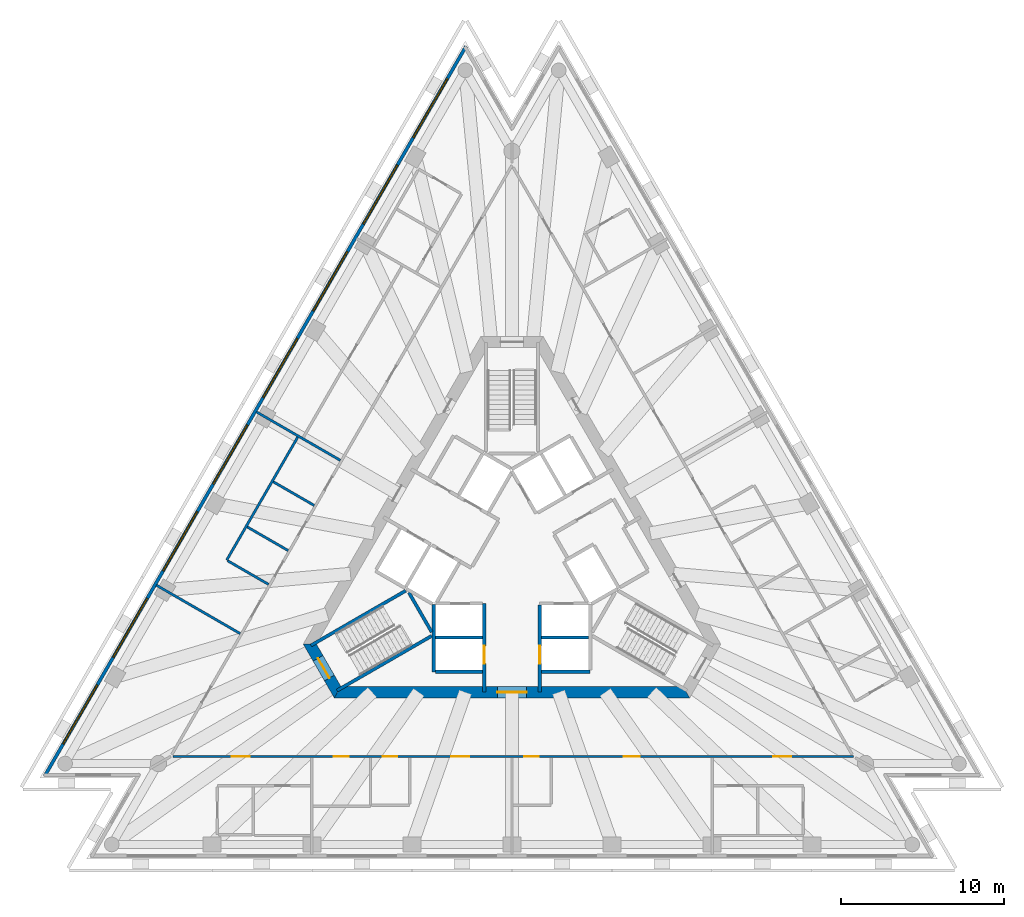
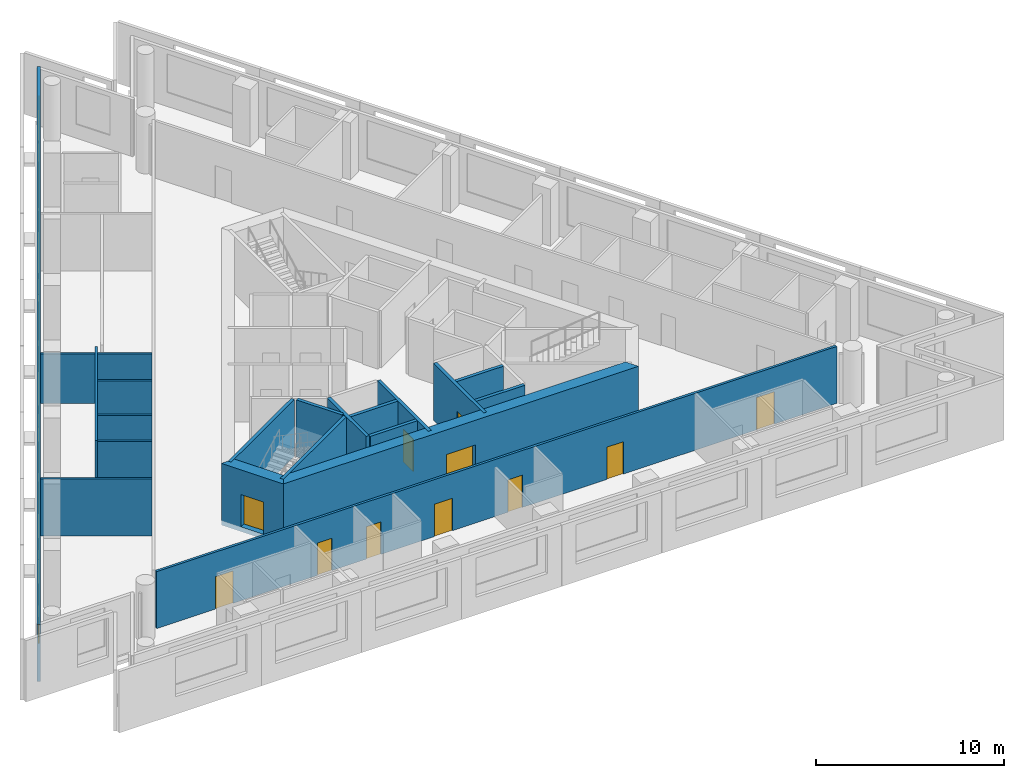
# One storey, part 3 of 9: 20 walls, 11 doors, 8 windows, 19 openings.
"""IFC4 building model written with IfcOpenShell, lengths in metres."""

from ifc_helpers import new_model, si_unit, direction, frame, frame_2d, origin, place, context, subcontext, project, spatial, polyline, rectangle, outline, extrude, material, layer, layer_set, layer_usage, type_object, element, fill, save


model = new_model("IFC4")

# Units and contexts
model_context = context("Model", 3, precision=1e-05, world=origin(), true_north=direction((0.0, 1.0)))
body_context = subcontext(model_context, "Body", "Model", "MODEL_VIEW")
ifc_project = project(units=[si_unit("LENGTHUNIT", "METRE"), si_unit("AREAUNIT", "SQUARE_METRE"), si_unit("VOLUMEUNIT", "CUBIC_METRE"), si_unit("PLANEANGLEUNIT", "RADIAN"), si_unit("MASSUNIT", "GRAM", prefix="KILO")], contexts=[model_context])

# Site, building, storey
site_placement = place(None, origin())
site = spatial("IfcSite", under=ifc_project, at=site_placement, CompositionType="ELEMENT")
building_placement = place(site_placement, origin())
building = spatial("IfcBuilding", under=site, at=building_placement, Name="Triada Interchange Tower", CompositionType="ELEMENT")
storey_placement = place(building_placement, frame((0.0, 0.0, 211.300048828125)))
storey = spatial("IfcBuildingStorey", under=building, at=storey_placement, Name="L49", CompositionType="ELEMENT", Elevation=211.300048828125)

# Walls
ifc_material_1 = material(Name="Concrete C30/37", Category="concrete")
ifc_layer_1 = layer(ifc_material_1, 0.199951171875)
ifc_layer_set_1 = layer_set([ifc_layer_1], Name="CORE WALL 200 EI 120")
wall_type_1 = type_object("IfcWallType", Name="CORE WALL 200 EI 120", PredefinedType="SOLIDWALL", material=ifc_layer_set_1)
for number, where, z_axis, x_axis, name in (
    (1, (-4.699951171875, -4.800048828125, 0.0), (0.0, 0.0, 1.0), (1.0, 0.0, 0.0), "Wall L47 55"),
    (2, (1.800048828125, -4.800048828125, 0.0), (0.0, 0.0, 1.0), (1.0, 0.0, 0.0), "Wall L47 56"),
):
    element("IfcWall", number, at=place(storey_placement, frame(where, z_axis=z_axis, x_axis=x_axis)), inside=storey, type_object=wall_type_1, Name=name, PredefinedType="SOLIDWALL", context=body_context, shape_type="SweptSolid", body=[
        extrude(rectangle(XDim=2.89990234375, YDim=0.199951171875, at=frame_2d((1.449951171875, 0.0))), origin(), (0.0, 0.0, 1.0), 3.699951171875),
    ])
wall_1_placement = place(storey_placement, frame((-4.800048828125, -6.89990234375, 0.0), z_axis=(0.0, 0.0, 1.0), x_axis=(0.0, 1.0, 0.0)))
element("IfcWall", 3, at=wall_1_placement, inside=storey, type_object=wall_type_1, Name="Wall L47 57", PredefinedType="SOLIDWALL", context=body_context, shape_type="SweptSolid", body=[
    extrude(rectangle(XDim=4.130859375, YDim=0.199951171875, at=frame_2d((2.0654296875, 0.0))), origin(), (0.0, 0.0, 1.0), 3.699951171875),
])
wall_2_placement = place(storey_placement, frame((-4.699951171875, -6.89990234375, 0.0), z_axis=(0.0, 0.0, 1.0), x_axis=(1.0, 0.0, 0.0)))
element("IfcWall", 4, at=wall_2_placement, inside=storey, type_object=wall_type_1, Name="Wall L47 58", PredefinedType="SOLIDWALL", context=body_context, shape_type="SweptSolid", body=[
    extrude(rectangle(XDim=2.89990234375, YDim=0.199951171875, at=frame_2d((1.449951171875, 0.0))), origin(), (0.0, 0.0, 1.0), 3.699951171875),
])
wall_3_placement = place(storey_placement, frame((1.800048828125, -6.89990234375, 0.0), z_axis=(0.0, 0.0, 1.0), x_axis=(1.0, 0.0, 0.0)))
element("IfcWall", 5, at=wall_3_placement, inside=storey, type_object=wall_type_1, Name="Wall L47 59", PredefinedType="SOLIDWALL", context=body_context, shape_type="SweptSolid", body=[
    extrude(rectangle(XDim=3.0, YDim=0.199951171875, at=frame_2d((1.5, 0.0))), origin(), (0.0, 0.0, 1.0), 3.699951171875),
])

# Wall, opening, door
wall_4_placement = place(storey_placement, frame((-1.699951171875, -8.1298828125, 0.0), z_axis=(0.0, 0.0, 1.0), x_axis=(0.0, 1.0, 0.0)))
wall_4 = element("IfcWall", 6, at=wall_4_placement, inside=storey, type_object=wall_type_1, Name="Wall L47 60", PredefinedType="SOLIDWALL", context=body_context, shape_type="SweptSolid", body=[
    extrude(rectangle(XDim=5.427001953125, YDim=0.199951171875, at=frame_2d((2.71337890625, 0.0))), origin(), (0.0, 0.0, 1.0), 3.699951171875),
])
opening_1_placement = place(wall_4_placement, frame((1.72998046875, 0.0, 0.0)))
opening_1 = element("IfcOpeningElement", 7, at=opening_1_placement, cuts=wall_4, Name="Opening LD-HR4", PredefinedType="OPENING", context=body_context, shape_type="SweptSolid", body=[
    extrude(rectangle(XDim=1.10009765625, YDim=2.10009765625, at=frame_2d((0.550048828125, 1.050048828125))), frame((0.0, 0.10986328125, 0.0), z_axis=(0.0, -1.0, 0.0), x_axis=(1.0, 0.0, 0.0)), (0.0, 0.0, 1.0), 0.219970703125),
])
ifc_material_2 = material(Name="Steel S235 door leaf", Category="steel")
door_type_1 = type_object("IfcDoorType", Name="LIFT LANDING DOOR 1100 EI 120", OperationType="SLIDING_TO_LEFT", PredefinedType="DOOR", material=ifc_material_2)
door_1_placement = place(opening_1_placement, origin())
door_1 = element("IfcDoor", 8, at=door_1_placement, inside=storey, type_object=door_type_1, Name="HR4 landing door L49", OperationType="SLIDING_TO_LEFT", OverallHeight=2.10009765625, OverallWidth=1.10009765625, PredefinedType="DOOR", context=body_context, shape_type="SweptSolid", body=[
    extrude(rectangle(XDim=1.10009765625, YDim=2.10009765625, at=frame_2d((0.550048828125, 1.050048828125))), frame((0.0, 0.02490234375, 0.0), z_axis=(0.0, -1.0, 0.0), x_axis=(1.0, 0.0, 0.0)), (0.0, 0.0, 1.0), 0.050048828125),
])
fill(opening_1, door_1)

wall_5_placement = place(storey_placement, frame((1.699951171875, -8.1298828125, 0.0), z_axis=(0.0, 0.0, 1.0), x_axis=(0.0, 1.0, 0.0)))
wall_5 = element("IfcWall", 9, at=wall_5_placement, inside=storey, type_object=wall_type_1, Name="Wall L47 67", PredefinedType="SOLIDWALL", context=body_context, shape_type="SweptSolid", body=[
    extrude(rectangle(XDim=5.326904296875, YDim=0.199951171875, at=frame_2d((2.66357421875, 0.0))), origin(), (0.0, 0.0, 1.0), 3.699951171875),
])
opening_2_placement = place(wall_5_placement, frame((1.72998046875, 0.0, 0.0)))
opening_2 = element("IfcOpeningElement", 10, at=opening_2_placement, cuts=wall_5, Name="Opening LD-HR2", PredefinedType="OPENING", context=body_context, shape_type="SweptSolid", body=[
    extrude(rectangle(XDim=1.10009765625, YDim=2.10009765625, at=frame_2d((0.550048828125, 1.050048828125))), frame((0.0, 0.10986328125, 0.0), z_axis=(0.0, -1.0, 0.0), x_axis=(1.0, 0.0, 0.0)), (0.0, 0.0, 1.0), 0.219970703125),
])
door_2_placement = place(opening_2_placement, origin())
door_2 = element("IfcDoor", 11, at=door_2_placement, inside=storey, type_object=door_type_1, Name="HR2 landing door L49", OperationType="SLIDING_TO_LEFT", OverallHeight=2.10009765625, OverallWidth=1.10009765625, PredefinedType="DOOR", context=body_context, shape_type="SweptSolid", body=[
    extrude(rectangle(XDim=1.10009765625, YDim=2.10009765625, at=frame_2d((0.550048828125, 1.050048828125))), frame((0.0, 0.02490234375, 0.0), z_axis=(0.0, -1.0, 0.0), x_axis=(1.0, 0.0, 0.0)), (0.0, 0.0, 1.0), 0.050048828125),
])
fill(opening_2, door_2)

# Walls
ifc_layer_2 = layer(ifc_material_1, 0.199951171875)
ifc_layer_set_2 = layer_set([ifc_layer_2], Name="CORE WALL 200 REI 240")
wall_type_2 = type_object("IfcWallType", Name="CORE WALL 200 REI 240", PredefinedType="SOLIDWALL", material=ifc_layer_set_2)
wall_6_placement = place(storey_placement, frame((-12.343994140625, -5.279052734375, 0.0), z_axis=(0.0, 0.0, 1.0), x_axis=(0.866046323291, 0.499963764601, 0.0)))
element("IfcWall", 12, at=wall_6_placement, inside=storey, type_object=wall_type_2, Name="Wall L47 96", PredefinedType="SOLIDWALL", context=body_context, shape_type="SweptSolid", body=[
    extrude(rectangle(XDim=6.71435546875, YDim=0.199951171875, at=frame_2d((3.357177734375, 0.0))), origin(), (0.0, 0.0, 1.0), 3.699951171875),
])
wall_7_placement = place(storey_placement, frame((-6.3291015625, -2.0380859375, 0.0), z_axis=(0.0, 0.0, 1.0), x_axis=(0.500200581029, -0.865909567298, 0.0)))
element("IfcWall", 13, at=wall_7_placement, inside=storey, type_object=wall_type_2, Name="Wall L47 97", PredefinedType="SOLIDWALL", context=body_context, shape_type="SweptSolid", body=[
    extrude(rectangle(XDim=2.799072265625, YDim=0.199951171875, at=frame_2d((1.3994140625, 0.0))), origin(), (0.0, 0.0, 1.0), 3.699951171875),
])
wall_8_placement = place(storey_placement, frame((-10.743896484375, -8.051025390625, 0.0), z_axis=(0.0, 0.0, 1.0), x_axis=(0.865983344943, 0.500072840975, 0.0)))
element("IfcWall", 14, at=wall_8_placement, inside=storey, type_object=wall_type_2, Name="Wall L47 98", PredefinedType="SOLIDWALL", context=body_context, shape_type="SweptSolid", body=[
    extrude(rectangle(XDim=6.71484375, YDim=0.199951171875, at=frame_2d((3.357421875, 0.0))), origin(), (0.0, 0.0, 1.0), 3.699951171875),
])

# Wall, opening, door
ifc_material_3 = material(Name="Concrete C50/60", Category="concrete")
ifc_layer_3 = layer(ifc_material_3, 0.699951171875)
ifc_layer_set_3 = layer_set([ifc_layer_3], Name="Core wall C 700")
wall_type_3 = type_object("IfcWallType", Name="Core wall C 700", PredefinedType="SHEAR", material=ifc_layer_set_3)
wall_9_placement = place(storey_placement, frame((-12.4130859375, -5.199951171875, -0.300048828125), z_axis=(0.0, 0.0, 1.0), x_axis=(0.49999337185, -0.866029230515, 0.0)))
wall_9 = element("IfcWall", 15, at=wall_9_placement, inside=storey, type_object=wall_type_3, Name="Core wall WC03 L49", PredefinedType="SHEAR", context=body_context, shape_type="SweptSolid", body=[
    extrude(outline(polyline([(-0.201904296875, -0.35009765625), (1.703125, -0.35009765625), (3.60791015625, -0.35009765625), (3.2041015625, 0.35009765625), (1.703125, 0.35009765625), (0.201904296875, 0.35009765625), (-0.201904296875, -0.35009765625)])), origin(), (0.0, 0.0, 1.0), 4.0),
])
opening_3_placement = place(wall_9_placement, frame((1.0029296875, 0.0, 0.300048828125)))
opening_3 = element("IfcOpeningElement", 16, at=opening_3_placement, cuts=wall_9, Name="Opening D47-45", PredefinedType="OPENING", context=body_context, shape_type="SweptSolid", body=[
    extrude(rectangle(XDim=1.39990234375, YDim=2.10009765625, at=frame_2d((0.699951171875, 1.050048828125))), frame((0.0, 0.360107421875, 0.0), z_axis=(0.0, -1.0, 0.0), x_axis=(1.0, 0.0, 0.0)), (0.0, 0.0, 1.0), 0.72021484375),
])
door_type_2 = type_object("IfcDoorType", Name="STAIR DOOR 1400 EI2 90-C5S200", OperationType="DOUBLE_DOOR_SINGLE_SWING", PredefinedType="DOOR", material=ifc_material_2)
door_3_placement = place(opening_3_placement, origin())
door_3 = element("IfcDoor", 17, at=door_3_placement, inside=storey, type_object=door_type_2, Name="Door D47-45 L49", OperationType="DOUBLE_DOOR_SINGLE_SWING", OverallHeight=2.10009765625, OverallWidth=1.39990234375, PredefinedType="DOOR", context=body_context, shape_type="SweptSolid", body=[
    extrude(rectangle(XDim=1.39990234375, YDim=2.10009765625, at=frame_2d((0.699951171875, 1.050048828125))), frame((0.0, 0.02490234375, 0.0), z_axis=(0.0, -1.0, 0.0), x_axis=(1.0, 0.0, 0.0)), (0.0, 0.0, 1.0), 0.050048828125),
])
fill(opening_3, door_3)

wall_10_placement = place(storey_placement, frame((-10.7099609375, -8.14990234375, -0.300048828125), z_axis=(0.0, 0.0, 1.0), x_axis=(1.0, 0.0, 0.0)))
wall_10 = element("IfcWall", 18, at=wall_10_placement, inside=storey, type_object=wall_type_3, Name="Core wall WC04 L49", PredefinedType="SHEAR", context=body_context, shape_type="SweptSolid", body=[
    extrude(outline(polyline([(-0.201904296875, -0.35009765625), (1.781982421875, -0.35009765625), (3.76611328125, -0.35009765625), (5.75, -0.35009765625), (7.734130859375, -0.35009765625), (9.718017578125, -0.35009765625), (11.7021484375, -0.35009765625), (13.68603515625, -0.35009765625), (15.670166015625, -0.35009765625), (17.654052734375, -0.35009765625), (19.63818359375, -0.35009765625), (21.6220703125, -0.35009765625), (21.218017578125, 0.35009765625), (19.307373046875, 0.35009765625), (17.39697265625, 0.35009765625), (15.486328125, 0.35009765625), (13.57568359375, 0.35009765625), (11.665283203125, 0.35009765625), (9.754638671875, 0.35009765625), (7.84423828125, 0.35009765625), (5.93359375, 0.35009765625), (4.02294921875, 0.35009765625), (2.112548828125, 0.35009765625), (0.201904296875, 0.35009765625), (-0.201904296875, -0.35009765625)])), origin(), (0.0, 0.0, 1.0), 4.0),
])
opening_4_placement = place(wall_10_placement, frame((9.81005859375, 0.0, 0.300048828125)))
opening_4 = element("IfcOpeningElement", 19, at=opening_4_placement, cuts=wall_10, Name="Opening D47-43", PredefinedType="OPENING", context=body_context, shape_type="SweptSolid", body=[
    extrude(rectangle(XDim=1.800048828125, YDim=2.10009765625, at=frame_2d((0.89990234375, 1.050048828125))), frame((0.0, 0.360107421875, 0.0), z_axis=(0.0, -1.0, 0.0), x_axis=(1.0, 0.0, 0.0)), (0.0, 0.0, 1.0), 0.72021484375),
])
door_type_3 = type_object("IfcDoorType", Name="LOBBY DOOR 1800 EI2 90-C5S200", OperationType="DOUBLE_DOOR_SINGLE_SWING", PredefinedType="DOOR", material=ifc_material_2)
door_4_placement = place(opening_4_placement, origin())
door_4 = element("IfcDoor", 20, at=door_4_placement, inside=storey, type_object=door_type_3, Name="Door D47-43 L49", OperationType="DOUBLE_DOOR_SINGLE_SWING", OverallHeight=2.10009765625, OverallWidth=1.800048828125, PredefinedType="DOOR", context=body_context, shape_type="SweptSolid", body=[
    extrude(rectangle(XDim=1.800048828125, YDim=2.10009765625, at=frame_2d((0.89990234375, 1.050048828125))), frame((0.0, 0.02490234375, 0.0), z_axis=(0.0, -1.0, 0.0), x_axis=(1.0, 0.0, 0.0)), (0.0, 0.0, 1.0), 0.050048828125),
])
fill(opening_4, door_4)

# Wall, openings, windows
ifc_material_4 = material(Name="Cement board")
ifc_layer_4 = layer(ifc_material_4, 0.02001953125, Name="Cement board cladding")
ifc_material_5 = material(Name="Sheathing board")
ifc_layer_5 = layer(ifc_material_5, 0.014892578125, Name="Sheathing board")
ifc_material_6 = material(Name="Mineral wool")
ifc_layer_6 = layer(ifc_material_6, 0.14990234375, Name="Mineral wool between steel studs")
ifc_material_7 = material(Name="Gypsum board")
ifc_layer_7 = layer(ifc_material_7, 0.014892578125, Name="Plasterboard lining")
ifc_layer_set_4 = layer_set([ifc_layer_4, ifc_layer_5, ifc_layer_6, ifc_layer_7], Name="External wall 200")
ifc_layer_usage = layer_usage(ifc_layer_set_4, "AXIS2", "POSITIVE", -0.10009765625)
wall_type_4 = type_object("IfcWallType", Name="External wall 200", PredefinedType="ELEMENTEDWALL", material=ifc_layer_set_4)
wall_11_placement = place(storey_placement, frame((-2.823974609375, 31.512939453125, 0.0), z_axis=(0.0, 0.0, 1.0), x_axis=(-0.500012324412, -0.866018288165, 0.0)))
wall_11 = element("IfcWall", 21, at=wall_11_placement, inside=storey, type_object=wall_type_4, material=ifc_layer_usage, Name="External wall L49 NW", PredefinedType="ELEMENTEDWALL", context=body_context, shape_type="SweptSolid", body=[
    extrude(rectangle(XDim=51.739013671875, YDim=0.199951171875, at=frame_2d((25.86962890625, 0.0))), origin(), (0.0, 0.0, 1.0), 3.699951171875),
])
opening_5_placement = place(wall_11_placement, frame((2.27490234375, 0.0, 0.89990234375)))
opening_5 = element("IfcOpeningElement", 22, at=opening_5_placement, cuts=wall_11, Name="Opening WC01", PredefinedType="OPENING", context=body_context, shape_type="SweptSolid", body=[
    extrude(rectangle(XDim=4.199951171875, YDim=2.5, at=frame_2d((2.10009765625, 1.25))), frame((0.0, 0.10986328125, 0.0), z_axis=(0.0, -1.0, 0.0), x_axis=(1.0, 0.0, 0.0)), (0.0, 0.0, 1.0), 0.219970703125),
])
opening_6_placement = place(wall_11_placement, frame((8.4189453125, 0.0, 0.89990234375)))
opening_6 = element("IfcOpeningElement", 23, at=opening_6_placement, cuts=wall_11, Name="Opening WC02", PredefinedType="OPENING", context=body_context, shape_type="SweptSolid", body=[
    extrude(rectangle(XDim=4.199951171875, YDim=2.5, at=frame_2d((2.10009765625, 1.25))), frame((0.0, 0.10986328125, 0.0), z_axis=(0.0, -1.0, 0.0), x_axis=(1.0, 0.0, 0.0)), (0.0, 0.0, 1.0), 0.219970703125),
])
opening_7_placement = place(wall_11_placement, frame((14.56298828125, 0.0, 0.89990234375)))
opening_7 = element("IfcOpeningElement", 24, at=opening_7_placement, cuts=wall_11, Name="Opening WC03", PredefinedType="OPENING", context=body_context, shape_type="SweptSolid", body=[
    extrude(rectangle(XDim=4.199951171875, YDim=2.5, at=frame_2d((2.10009765625, 1.25))), frame((0.0, 0.10986328125, 0.0), z_axis=(0.0, -1.0, 0.0), x_axis=(1.0, 0.0, 0.0)), (0.0, 0.0, 1.0), 0.219970703125),
])
opening_8_placement = place(wall_11_placement, frame((20.70703125, 0.0, 0.89990234375)))
opening_8 = element("IfcOpeningElement", 25, at=opening_8_placement, cuts=wall_11, Name="Opening WC04", PredefinedType="OPENING", context=body_context, shape_type="SweptSolid", body=[
    extrude(rectangle(XDim=4.199951171875, YDim=2.5, at=frame_2d((2.10009765625, 1.25))), frame((0.0, 0.10986328125, 0.0), z_axis=(0.0, -1.0, 0.0), x_axis=(1.0, 0.0, 0.0)), (0.0, 0.0, 1.0), 0.219970703125),
])
opening_9_placement = place(wall_11_placement, frame((26.85107421875, 0.0, 0.89990234375)))
opening_9 = element("IfcOpeningElement", 26, at=opening_9_placement, cuts=wall_11, Name="Opening WC05", PredefinedType="OPENING", context=body_context, shape_type="SweptSolid", body=[
    extrude(rectangle(XDim=4.199951171875, YDim=2.5, at=frame_2d((2.10009765625, 1.25))), frame((0.0, 0.10986328125, 0.0), z_axis=(0.0, -1.0, 0.0), x_axis=(1.0, 0.0, 0.0)), (0.0, 0.0, 1.0), 0.219970703125),
])
opening_10_placement = place(wall_11_placement, frame((32.9951171875, 0.0, 0.89990234375)))
opening_10 = element("IfcOpeningElement", 27, at=opening_10_placement, cuts=wall_11, Name="Opening WC06", PredefinedType="OPENING", context=body_context, shape_type="SweptSolid", body=[
    extrude(rectangle(XDim=4.199951171875, YDim=2.5, at=frame_2d((2.10009765625, 1.25))), frame((0.0, 0.10986328125, 0.0), z_axis=(0.0, -1.0, 0.0), x_axis=(1.0, 0.0, 0.0)), (0.0, 0.0, 1.0), 0.219970703125),
])
opening_11_placement = place(wall_11_placement, frame((39.139892578125, 0.0, 0.89990234375)))
opening_11 = element("IfcOpeningElement", 28, at=opening_11_placement, cuts=wall_11, Name="Opening WC07", PredefinedType="OPENING", context=body_context, shape_type="SweptSolid", body=[
    extrude(rectangle(XDim=4.199951171875, YDim=2.5, at=frame_2d((2.10009765625, 1.25))), frame((0.0, 0.10986328125, 0.0), z_axis=(0.0, -1.0, 0.0), x_axis=(1.0, 0.0, 0.0)), (0.0, 0.0, 1.0), 0.219970703125),
])
opening_12_placement = place(wall_11_placement, frame((45.283935546875, 0.0, 0.89990234375)))
opening_12 = element("IfcOpeningElement", 29, at=opening_12_placement, cuts=wall_11, Name="Opening WC08", PredefinedType="OPENING", context=body_context, shape_type="SweptSolid", body=[
    extrude(rectangle(XDim=4.199951171875, YDim=2.5, at=frame_2d((2.10009765625, 1.25))), frame((0.0, 0.10986328125, 0.0), z_axis=(0.0, -1.0, 0.0), x_axis=(1.0, 0.0, 0.0)), (0.0, 0.0, 1.0), 0.219970703125),
])
ifc_material_8 = material(Name="Double glazed aluminium window", Category="aluminium")
window_type = type_object("IfcWindowType", Name="Ribbon window C face", PartitioningType="SINGLE_PANEL", PredefinedType="WINDOW", material=ifc_material_8)
window_1_placement = place(opening_5_placement, origin())
window_1 = element("IfcWindow", 30, at=window_1_placement, inside=storey, type_object=window_type, Name="Window L49 NW 1", OverallHeight=2.5, OverallWidth=4.199951171875, PartitioningType="SINGLE_PANEL", PredefinedType="WINDOW", context=body_context, shape_type="SweptSolid", body=[
    extrude(rectangle(XDim=4.199951171875, YDim=2.5, at=frame_2d((2.10009765625, 1.25))), frame((0.0, 0.030029296875, 0.0), z_axis=(0.0, -1.0, 0.0), x_axis=(1.0, 0.0, 0.0)), (0.0, 0.0, 1.0), 0.06005859375),
])
fill(opening_5, window_1)
window_2_placement = place(opening_6_placement, origin())
window_2 = element("IfcWindow", 31, at=window_2_placement, inside=storey, type_object=window_type, Name="Window L49 NW 2", OverallHeight=2.5, OverallWidth=4.199951171875, PartitioningType="SINGLE_PANEL", PredefinedType="WINDOW", context=body_context, shape_type="SweptSolid", body=[
    extrude(rectangle(XDim=4.199951171875, YDim=2.5, at=frame_2d((2.10009765625, 1.25))), frame((0.0, 0.030029296875, 0.0), z_axis=(0.0, -1.0, 0.0), x_axis=(1.0, 0.0, 0.0)), (0.0, 0.0, 1.0), 0.06005859375),
])
fill(opening_6, window_2)
window_3_placement = place(opening_7_placement, origin())
window_3 = element("IfcWindow", 32, at=window_3_placement, inside=storey, type_object=window_type, Name="Window L49 NW 3", OverallHeight=2.5, OverallWidth=4.199951171875, PartitioningType="SINGLE_PANEL", PredefinedType="WINDOW", context=body_context, shape_type="SweptSolid", body=[
    extrude(rectangle(XDim=4.199951171875, YDim=2.5, at=frame_2d((2.10009765625, 1.25))), frame((0.0, 0.030029296875, 0.0), z_axis=(0.0, -1.0, 0.0), x_axis=(1.0, 0.0, 0.0)), (0.0, 0.0, 1.0), 0.06005859375),
])
fill(opening_7, window_3)
window_4_placement = place(opening_8_placement, origin())
window_4 = element("IfcWindow", 33, at=window_4_placement, inside=storey, type_object=window_type, Name="Window L49 NW 4", OverallHeight=2.5, OverallWidth=4.199951171875, PartitioningType="SINGLE_PANEL", PredefinedType="WINDOW", context=body_context, shape_type="SweptSolid", body=[
    extrude(rectangle(XDim=4.199951171875, YDim=2.5, at=frame_2d((2.10009765625, 1.25))), frame((0.0, 0.030029296875, 0.0), z_axis=(0.0, -1.0, 0.0), x_axis=(1.0, 0.0, 0.0)), (0.0, 0.0, 1.0), 0.06005859375),
])
fill(opening_8, window_4)
window_5_placement = place(opening_9_placement, origin())
window_5 = element("IfcWindow", 34, at=window_5_placement, inside=storey, type_object=window_type, Name="Window L49 NW 5", OverallHeight=2.5, OverallWidth=4.199951171875, PartitioningType="SINGLE_PANEL", PredefinedType="WINDOW", context=body_context, shape_type="SweptSolid", body=[
    extrude(rectangle(XDim=4.199951171875, YDim=2.5, at=frame_2d((2.10009765625, 1.25))), frame((0.0, 0.030029296875, 0.0), z_axis=(0.0, -1.0, 0.0), x_axis=(1.0, 0.0, 0.0)), (0.0, 0.0, 1.0), 0.06005859375),
])
fill(opening_9, window_5)
window_6_placement = place(opening_10_placement, origin())
window_6 = element("IfcWindow", 35, at=window_6_placement, inside=storey, type_object=window_type, Name="Window L49 NW 6", OverallHeight=2.5, OverallWidth=4.199951171875, PartitioningType="SINGLE_PANEL", PredefinedType="WINDOW", context=body_context, shape_type="SweptSolid", body=[
    extrude(rectangle(XDim=4.199951171875, YDim=2.5, at=frame_2d((2.10009765625, 1.25))), frame((0.0, 0.030029296875, 0.0), z_axis=(0.0, -1.0, 0.0), x_axis=(1.0, 0.0, 0.0)), (0.0, 0.0, 1.0), 0.06005859375),
])
fill(opening_10, window_6)
window_7_placement = place(opening_11_placement, origin())
window_7 = element("IfcWindow", 36, at=window_7_placement, inside=storey, type_object=window_type, Name="Window L49 NW 7", OverallHeight=2.5, OverallWidth=4.199951171875, PartitioningType="SINGLE_PANEL", PredefinedType="WINDOW", context=body_context, shape_type="SweptSolid", body=[
    extrude(rectangle(XDim=4.199951171875, YDim=2.5, at=frame_2d((2.10009765625, 1.25))), frame((0.0, 0.030029296875, 0.0), z_axis=(0.0, -1.0, 0.0), x_axis=(1.0, 0.0, 0.0)), (0.0, 0.0, 1.0), 0.06005859375),
])
fill(opening_11, window_7)
window_8_placement = place(opening_12_placement, origin())
window_8 = element("IfcWindow", 37, at=window_8_placement, inside=storey, type_object=window_type, Name="Window L49 NW 8", OverallHeight=2.5, OverallWidth=4.199951171875, PartitioningType="SINGLE_PANEL", PredefinedType="WINDOW", context=body_context, shape_type="SweptSolid", body=[
    extrude(rectangle(XDim=4.199951171875, YDim=2.5, at=frame_2d((2.10009765625, 1.25))), frame((0.0, 0.030029296875, 0.0), z_axis=(0.0, -1.0, 0.0), x_axis=(1.0, 0.0, 0.0)), (0.0, 0.0, 1.0), 0.06005859375),
])
fill(opening_12, window_8)

# Wall
ifc_material_9 = material(Name="Gypsum board partition")
ifc_layer_8 = layer(ifc_material_9, 0.14990234375)
ifc_layer_set_5 = layer_set([ifc_layer_8], Name="PARTITION 150 EI 180")
wall_type_5 = type_object("IfcWallType", Name="PARTITION 150 EI 180", PredefinedType="PARTITIONING", material=ifc_layer_set_5)
wall_12_placement = place(storey_placement, frame((-21.839111328125, -1.5810546875, 0.0), z_axis=(0.0, 0.0, 1.0), x_axis=(0.866034527326, -0.49998419723, 0.0)))
element("IfcWall", 38, at=wall_12_placement, inside=storey, type_object=wall_type_5, Name="Wall L47 3", PredefinedType="PARTITIONING", context=body_context, shape_type="SweptSolid", body=[
    extrude(rectangle(XDim=5.947998046875, YDim=0.14990234375, at=frame_2d((2.97412109375, 0.0))), origin(), (0.0, 0.0, 1.0), 3.699951171875),
])

# Wall, openings, doors
wall_13_placement = place(storey_placement, frame((-20.80810546875, -12.10009765625, 0.0), z_axis=(0.0, 0.0, 1.0), x_axis=(1.0, 0.0, 0.0)))
wall_13 = element("IfcWall", 39, at=wall_13_placement, inside=storey, type_object=wall_type_5, Name="Wall L47 5", PredefinedType="PARTITIONING", context=body_context, shape_type="SweptSolid", body=[
    extrude(rectangle(XDim=41.76611328125, YDim=0.14990234375, at=frame_2d((20.883056640625, 0.0))), origin(), (0.0, 0.0, 1.0), 3.699951171875),
])
opening_13_placement = place(wall_13_placement, frame((3.60009765625, 0.0, 0.0)))
opening_13 = element("IfcOpeningElement", 40, at=opening_13_placement, cuts=wall_13, Name="Opening D47-11", PredefinedType="OPENING", context=body_context, shape_type="SweptSolid", body=[
    extrude(rectangle(XDim=1.10009765625, YDim=2.10009765625, at=frame_2d((0.550048828125, 1.050048828125))), frame((0.0, 0.0849609375, 0.0), z_axis=(0.0, -1.0, 0.0), x_axis=(1.0, 0.0, 0.0)), (0.0, 0.0, 1.0), 0.169921875),
])
opening_14_placement = place(wall_13_placement, frame((17.070068359375, 0.0, 0.0)))
opening_14 = element("IfcOpeningElement", 41, at=opening_14_placement, cuts=wall_13, Name="Opening D47-14", PredefinedType="OPENING", context=body_context, shape_type="SweptSolid", body=[
    extrude(rectangle(XDim=1.10009765625, YDim=2.10009765625, at=frame_2d((0.550048828125, 1.050048828125))), frame((0.0, 0.0849609375, 0.0), z_axis=(0.0, -1.0, 0.0), x_axis=(1.0, 0.0, 0.0)), (0.0, 0.0, 1.0), 0.169921875),
])
opening_15_placement = place(wall_13_placement, frame((9.8701171875, 0.0, 0.0)))
opening_15 = element("IfcOpeningElement", 42, at=opening_15_placement, cuts=wall_13, Name="Opening D47-15", PredefinedType="OPENING", context=body_context, shape_type="SweptSolid", body=[
    extrude(rectangle(XDim=0.89990234375, YDim=2.10009765625, at=frame_2d((0.449951171875, 1.050048828125))), frame((0.0, 0.0849609375, 0.0), z_axis=(0.0, -1.0, 0.0), x_axis=(1.0, 0.0, 0.0)), (0.0, 0.0, 1.0), 0.169921875),
])
opening_16_placement = place(wall_13_placement, frame((12.8701171875, 0.0, 0.0)))
opening_16 = element("IfcOpeningElement", 43, at=opening_16_placement, cuts=wall_13, Name="Opening D47-16", PredefinedType="OPENING", context=body_context, shape_type="SweptSolid", body=[
    extrude(rectangle(XDim=0.89990234375, YDim=2.10009765625, at=frame_2d((0.449951171875, 1.050048828125))), frame((0.0, 0.0849609375, 0.0), z_axis=(0.0, -1.0, 0.0), x_axis=(1.0, 0.0, 0.0)), (0.0, 0.0, 1.0), 0.169921875),
])
opening_17_placement = place(wall_13_placement, frame((27.657958984375, 0.0, 0.0)))
opening_17 = element("IfcOpeningElement", 44, at=opening_17_placement, cuts=wall_13, Name="Opening D47-17", PredefinedType="OPENING", context=body_context, shape_type="SweptSolid", body=[
    extrude(rectangle(XDim=1.0, YDim=2.10009765625, at=frame_2d((0.5, 1.050048828125))), frame((0.0, 0.0849609375, 0.0), z_axis=(0.0, -1.0, 0.0), x_axis=(1.0, 0.0, 0.0)), (0.0, 0.0, 1.0), 0.169921875),
])
opening_18_placement = place(wall_13_placement, frame((21.55810546875, 0.0, 0.0)))
opening_18 = element("IfcOpeningElement", 45, at=opening_18_placement, cuts=wall_13, Name="Opening D47-18", PredefinedType="OPENING", context=body_context, shape_type="SweptSolid", body=[
    extrude(rectangle(XDim=0.89990234375, YDim=2.10009765625, at=frame_2d((0.449951171875, 1.050048828125))), frame((0.0, 0.0849609375, 0.0), z_axis=(0.0, -1.0, 0.0), x_axis=(1.0, 0.0, 0.0)), (0.0, 0.0, 1.0), 0.169921875),
])
opening_19_placement = place(wall_13_placement, frame((36.846923828125, 0.0, 0.0)))
opening_19 = element("IfcOpeningElement", 46, at=opening_19_placement, cuts=wall_13, Name="Opening D47-19", PredefinedType="OPENING", context=body_context, shape_type="SweptSolid", body=[
    extrude(rectangle(XDim=1.10009765625, YDim=2.10009765625, at=frame_2d((0.550048828125, 1.050048828125))), frame((0.0, 0.0849609375, 0.0), z_axis=(0.0, -1.0, 0.0), x_axis=(1.0, 0.0, 0.0)), (0.0, 0.0, 1.0), 0.169921875),
])
door_type_4 = type_object("IfcDoorType", Name="ROOM DOOR 1000 EI2 90-C5S200", OperationType="NOTDEFINED", PredefinedType="DOOR", material=ifc_material_2)
door_5_placement = place(opening_17_placement, origin())
door_5 = element("IfcDoor", 47, at=door_5_placement, inside=storey, type_object=door_type_4, Name="Door D47-17 L49", OperationType="SINGLE_SWING_RIGHT", OverallHeight=2.10009765625, OverallWidth=1.0, PredefinedType="DOOR", context=body_context, shape_type="SweptSolid", body=[
    extrude(rectangle(XDim=1.0, YDim=2.10009765625, at=frame_2d((0.5, 1.050048828125))), frame((0.0, 0.02490234375, 0.0), z_axis=(0.0, -1.0, 0.0), x_axis=(1.0, 0.0, 0.0)), (0.0, 0.0, 1.0), 0.050048828125),
])
fill(opening_17, door_5)
door_type_5 = type_object("IfcDoorType", Name="ROOM DOOR 900 EI2 90-C5S200", OperationType="NOTDEFINED", PredefinedType="DOOR", material=ifc_material_2)
door_6_placement = place(opening_15_placement, origin())
door_6 = element("IfcDoor", 48, at=door_6_placement, inside=storey, type_object=door_type_5, Name="Door D47-15 L49", OperationType="SINGLE_SWING_RIGHT", OverallHeight=2.10009765625, OverallWidth=0.89990234375, PredefinedType="DOOR", context=body_context, shape_type="SweptSolid", body=[
    extrude(rectangle(XDim=0.89990234375, YDim=2.10009765625, at=frame_2d((0.449951171875, 1.050048828125))), frame((0.0, 0.02490234375, 0.0), z_axis=(0.0, -1.0, 0.0), x_axis=(1.0, 0.0, 0.0)), (0.0, 0.0, 1.0), 0.050048828125),
])
fill(opening_15, door_6)
door_7_placement = place(opening_16_placement, origin())
door_7 = element("IfcDoor", 49, at=door_7_placement, inside=storey, type_object=door_type_5, Name="Door D47-16 L49", OperationType="SINGLE_SWING_RIGHT", OverallHeight=2.10009765625, OverallWidth=0.89990234375, PredefinedType="DOOR", context=body_context, shape_type="SweptSolid", body=[
    extrude(rectangle(XDim=0.89990234375, YDim=2.10009765625, at=frame_2d((0.449951171875, 1.050048828125))), frame((0.0, 0.02490234375, 0.0), z_axis=(0.0, -1.0, 0.0), x_axis=(1.0, 0.0, 0.0)), (0.0, 0.0, 1.0), 0.050048828125),
])
fill(opening_16, door_7)
door_type_6 = type_object("IfcDoorType", Name="SERVICE DOOR 900 EI2 90-C5S200", OperationType="NOTDEFINED", PredefinedType="DOOR", material=ifc_material_2)
door_8_placement = place(opening_18_placement, origin())
door_8 = element("IfcDoor", 50, at=door_8_placement, inside=storey, type_object=door_type_6, Name="Door D47-18 L49", OperationType="SINGLE_SWING_RIGHT", OverallHeight=2.10009765625, OverallWidth=0.89990234375, PredefinedType="DOOR", context=body_context, shape_type="SweptSolid", body=[
    extrude(rectangle(XDim=0.89990234375, YDim=2.10009765625, at=frame_2d((0.449951171875, 1.050048828125))), frame((0.0, 0.02490234375, 0.0), z_axis=(0.0, -1.0, 0.0), x_axis=(1.0, 0.0, 0.0)), (0.0, 0.0, 1.0), 0.050048828125),
])
fill(opening_18, door_8)
door_type_7 = type_object("IfcDoorType", Name="TENANCY ENTRANCE DOOR 1100 EI2 90-C5S200", OperationType="NOTDEFINED", PredefinedType="DOOR", material=ifc_material_2)
door_9_placement = place(opening_13_placement, origin())
door_9 = element("IfcDoor", 51, at=door_9_placement, inside=storey, type_object=door_type_7, Name="Door D47-11 L49", OperationType="SINGLE_SWING_RIGHT", OverallHeight=2.10009765625, OverallWidth=1.10009765625, PredefinedType="DOOR", context=body_context, shape_type="SweptSolid", body=[
    extrude(rectangle(XDim=1.10009765625, YDim=2.10009765625, at=frame_2d((0.550048828125, 1.050048828125))), frame((0.0, 0.02490234375, 0.0), z_axis=(0.0, -1.0, 0.0), x_axis=(1.0, 0.0, 0.0)), (0.0, 0.0, 1.0), 0.050048828125),
])
fill(opening_13, door_9)
door_10_placement = place(opening_14_placement, origin())
door_10 = element("IfcDoor", 52, at=door_10_placement, inside=storey, type_object=door_type_7, Name="Door D47-14 L49", OperationType="SINGLE_SWING_LEFT", OverallHeight=2.10009765625, OverallWidth=1.10009765625, PredefinedType="DOOR", context=body_context, shape_type="SweptSolid", body=[
    extrude(rectangle(XDim=1.10009765625, YDim=2.10009765625, at=frame_2d((0.550048828125, 1.050048828125))), frame((0.0, 0.02490234375, 0.0), z_axis=(0.0, -1.0, 0.0), x_axis=(1.0, 0.0, 0.0)), (0.0, 0.0, 1.0), 0.050048828125),
])
fill(opening_14, door_10)
door_11_placement = place(opening_19_placement, origin())
door_11 = element("IfcDoor", 53, at=door_11_placement, inside=storey, type_object=door_type_7, Name="Door D47-19 L49", OperationType="SINGLE_SWING_LEFT", OverallHeight=2.10009765625, OverallWidth=1.10009765625, PredefinedType="DOOR", context=body_context, shape_type="SweptSolid", body=[
    extrude(rectangle(XDim=1.10009765625, YDim=2.10009765625, at=frame_2d((0.550048828125, 1.050048828125))), frame((0.0, 0.02490234375, 0.0), z_axis=(0.0, -1.0, 0.0), x_axis=(1.0, 0.0, 0.0)), (0.0, 0.0, 1.0), 0.050048828125),
])
fill(opening_19, door_11)

# Walls
wall_14_placement = place(storey_placement, frame((-17.52099609375, -0.0458984375, 0.0), z_axis=(0.0, 0.0, 1.0), x_axis=(0.499970334739, 0.866042530354, 0.0)))
element("IfcWall", 54, at=wall_14_placement, inside=storey, type_object=wall_type_5, Name="Wall L47 6", PredefinedType="PARTITIONING", context=body_context, shape_type="SweptSolid", body=[
    extrude(rectangle(XDim=8.724609375, YDim=0.14990234375, at=frame_2d((4.3623046875, 0.0))), origin(), (0.0, 0.0, 1.0), 3.699951171875),
])
wall_15_placement = place(storey_placement, frame((-17.4560546875, -0.0830078125, 0.0), z_axis=(0.0, 0.0, 1.0), x_axis=(0.865929066901, -0.500166823267, 0.0)))
element("IfcWall", 55, at=wall_15_placement, inside=storey, type_object=wall_type_5, Name="Wall L47 7", PredefinedType="PARTITIONING", context=body_context, shape_type="SweptSolid", body=[
    extrude(rectangle(XDim=2.90087890625, YDim=0.14990234375, at=frame_2d((1.450439453125, 0.0))), origin(), (0.0, 0.0, 1.0), 3.699951171875),
])
wall_16_placement = place(storey_placement, frame((-16.256103515625, 1.9951171875, 0.0), z_axis=(0.0, 0.0, 1.0), x_axis=(0.866059450854, -0.499941024108, 0.0)))
element("IfcWall", 56, at=wall_16_placement, inside=storey, type_object=wall_type_5, Name="Wall L47 8", PredefinedType="PARTITIONING", context=body_context, shape_type="SweptSolid", body=[
    extrude(rectangle(XDim=2.900634765625, YDim=0.14990234375, at=frame_2d((1.4501953125, 0.0))), origin(), (0.0, 0.0, 1.0), 3.699951171875),
])
wall_17_placement = place(storey_placement, frame((-15.695068359375, 9.06103515625, 0.0), z_axis=(0.0, 0.0, 1.0), x_axis=(0.866016753976, -0.500014981608, 0.0)))
element("IfcWall", 57, at=wall_17_placement, inside=storey, type_object=wall_type_5, Name="Wall L47 9", PredefinedType="PARTITIONING", context=body_context, shape_type="SweptSolid", body=[
    extrude(rectangle(XDim=5.947998046875, YDim=0.14990234375, at=frame_2d((2.97412109375, 0.0))), origin(), (0.0, 0.0, 1.0), 3.199951171875),
])
wall_18_placement = place(storey_placement, frame((-14.656005859375, 4.76611328125, 0.0), z_axis=(0.0, 0.0, 1.0), x_axis=(0.866038412228, -0.499977468037, 0.0)))
element("IfcWall", 58, at=wall_18_placement, inside=storey, type_object=wall_type_5, Name="Wall L47 11", PredefinedType="PARTITIONING", context=body_context, shape_type="SweptSolid", body=[
    extrude(rectangle(XDim=2.900634765625, YDim=0.14990234375, at=frame_2d((1.4501953125, 0.0))), origin(), (0.0, 0.0, 1.0), 3.699951171875),
])

save(model, "model.ifc")
